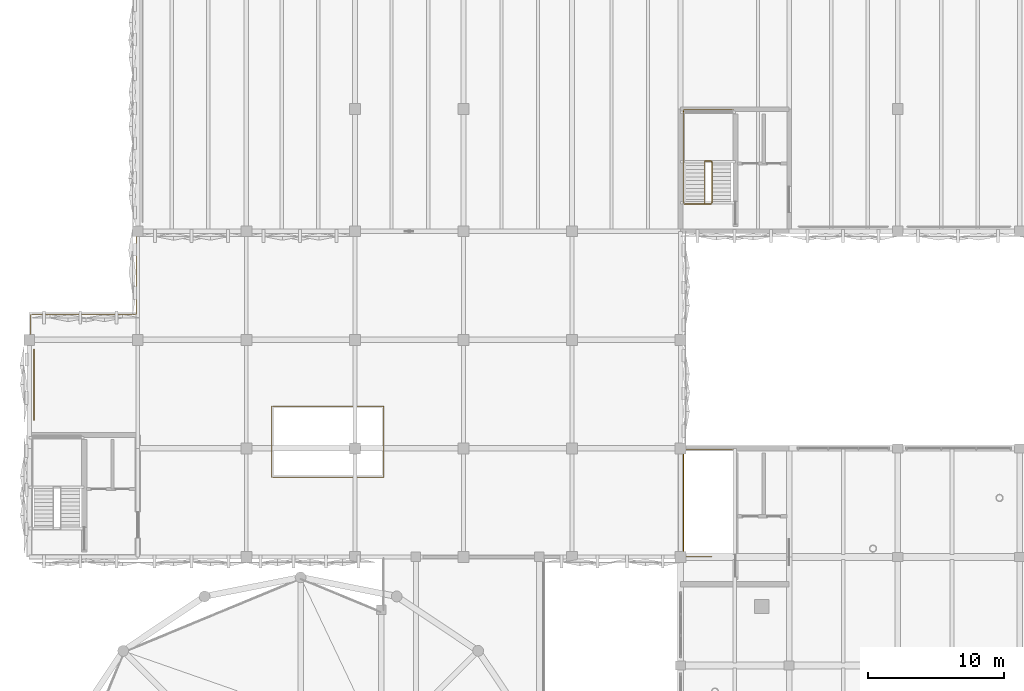
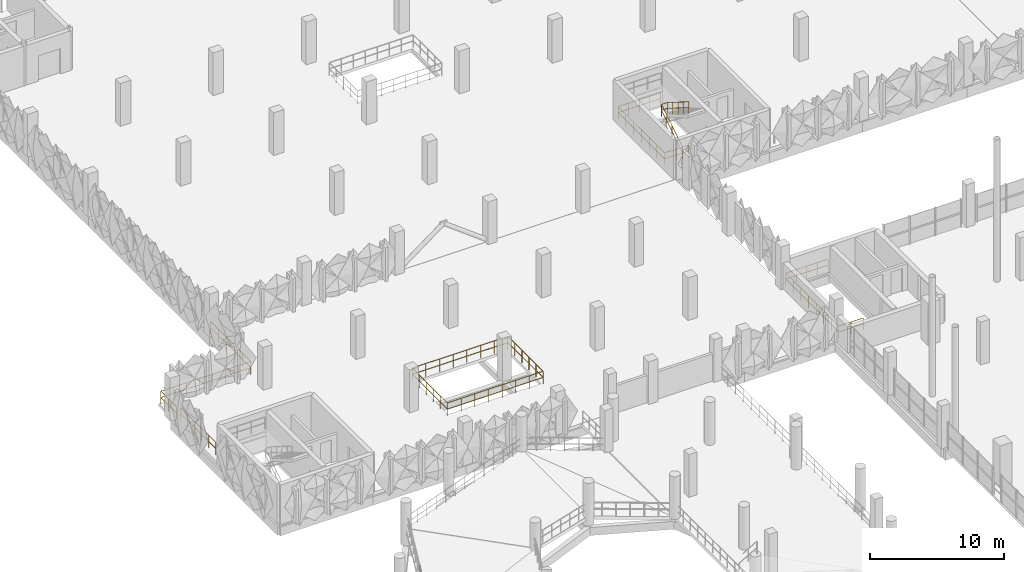
# One storey, part 111 of 123: 6 railings.
"""IFC4 building model written with IfcOpenShell, lengths in metres."""

import ifcopenshell
import ifcopenshell.guid

model = None  # the IFC model being written
_history = None  # IfcOwnerHistory: only IFC2X3 demands one
_inside = {}  # id of a spatial element -> (the spatial element, [elements in it])
_under = {}  # id of a project, library or spatial element -> (it, [spatial elements below it])
_declared = {}  # id of a project -> (the project, [libraries it declares])
_typed = {}  # id of a type object -> (the type object, [elements of that type])
_made_of = {}  # id of a material, layer set ... -> (it, [elements and type objects made of it])


def new_model(schema):
    """Start an empty IFC model of exactly this schema.

    Asked for "IFC4X3", IfcOpenShell would pick the latest addendum, in which some entities
    have other attributes; the version numbers below select the first issue.
    IFC2X3 requires an IfcOwnerHistory on every rooted entity: one is made here for all.
    """
    global model, _history
    if schema == "IFC4X3":
        model = ifcopenshell.file(schema_version=(4, 3, 0, 0))
    else:
        model = ifcopenshell.file(schema=schema)
    _inside.clear()
    _under.clear()
    _declared.clear()
    _typed.clear()
    _made_of.clear()
    _history = None
    if model.schema == "IFC2X3":
        org = make("IfcOrganization", Name="unknown")
        user = make(
            "IfcPersonAndOrganization",
            ThePerson=make("IfcPerson", FamilyName="unknown"),
            TheOrganization=org,
        )
        app = make(
            "IfcApplication",
            ApplicationDeveloper=org,
            Version="unknown",
            ApplicationFullName="unknown",
            ApplicationIdentifier="unknown",
        )
        _history = make(
            "IfcOwnerHistory",
            OwningUser=user,
            OwningApplication=app,
            ChangeAction="ADDED",
            CreationDate=0,
        )
    return model


def make(cls, **values):
    """One entity of the class cls with the attributes given. An attribute that is None is left unset."""
    return model.create_entity(
        cls, **{name: value for name, value in values.items() if value is not None}
    )


def rooted(cls, **values):
    """An entity with a GlobalId (a new one), such as an element, a storey or a relation."""
    return make(cls, GlobalId=ifcopenshell.guid.new(), OwnerHistory=_history, **values)


def si_unit(unit_type, name, prefix=None):
    """IfcSIUnit, for example si_unit("LENGTHUNIT", "METRE", prefix="MILLI")."""
    return make("IfcSIUnit", UnitType=unit_type, Prefix=prefix, Name=name)


def derived_unit(unit_type, elements):
    """IfcDerivedUnit: a product of units, each with its exponent."""
    return make(
        "IfcDerivedUnit",
        Elements=[
            make("IfcDerivedUnitElement", Unit=unit, Exponent=power)
            for unit, power in elements
        ],
        UnitType=unit_type,
    )


def assignment(units):
    """IfcUnitAssignment: the units of a project."""
    return None if units is None else make("IfcUnitAssignment", Units=units)


def point(xyz):
    """IfcCartesianPoint."""
    return None if xyz is None else make("IfcCartesianPoint", Coordinates=xyz)


def direction(xyz):
    """IfcDirection."""
    return None if xyz is None else make("IfcDirection", DirectionRatios=xyz)


def frame(location, z_axis=None, x_axis=None):
    """IfcAxis2Placement3D, a coordinate frame: its origin and axes. An axis left out is left unset."""
    return make(
        "IfcAxis2Placement3D",
        Location=point(location),
        Axis=direction(z_axis),
        RefDirection=direction(x_axis),
    )


def frame_2d(location, x_axis=None):
    """IfcAxis2Placement2D, a coordinate frame in the plane: its origin and x axis."""
    return make(
        "IfcAxis2Placement2D", Location=point(location), RefDirection=direction(x_axis)
    )


def origin():
    """The frame at (0, 0, 0) with its axes left unset."""
    return frame((0.0, 0.0, 0.0))


def origin_2d():
    """The frame at (0, 0) in the plane with its x axis left unset."""
    return frame_2d((0.0, 0.0))


def place(relative_to, where):
    """IfcLocalPlacement: puts the frame where relative to a parent placement (None: the world)."""
    return make(
        "IfcLocalPlacement", PlacementRelTo=relative_to, RelativePlacement=where
    )


def context(
    kind, dimensions, precision=None, world=None, true_north=None, identifier=None
):
    """IfcGeometricRepresentationContext, for example the 3D "Model" context."""
    return make(
        "IfcGeometricRepresentationContext",
        ContextIdentifier=identifier,
        ContextType=kind,
        CoordinateSpaceDimension=dimensions,
        Precision=precision,
        WorldCoordinateSystem=world,
        TrueNorth=true_north,
    )


def subcontext(parent, identifier, kind, view, scale=None):
    """IfcGeometricRepresentationSubContext, for example "Body" below "Model"."""
    return make(
        "IfcGeometricRepresentationSubContext",
        ContextIdentifier=identifier,
        ContextType=kind,
        ParentContext=parent,
        TargetScale=scale,
        TargetView=view,
    )


def project(units=None, contexts=None):
    """IfcProject with its units and contexts."""
    return rooted(
        "IfcProject",
        Name="project",
        RepresentationContexts=contexts,
        UnitsInContext=assignment(units),
    )


def spatial(cls, under=None, at=None, **own):
    """A site, building, storey or space (cls), placed at a placement, below another one or the project."""
    s = rooted(cls, ObjectPlacement=at, **own)
    if under is not None:
        _under.setdefault(under.id(), (under, []))[1].append(s)
    return s


def profile(cls, at=None, kind="AREA", **sizes):
    """A parametric profile (cls). Its sizes go by their IFC names, for example OverallWidth=200.0."""
    return make(cls, ProfileType=kind, Position=at, **sizes)


def circle(**sizes):
    """IfcCircleProfileDef."""
    return profile("IfcCircleProfileDef", **sizes)


def extrude(swept, where, along, depth):
    """IfcExtrudedAreaSolid: the profile swept, set in the frame where, extruded along a direction by depth."""
    return make(
        "IfcExtrudedAreaSolid",
        SweptArea=swept,
        Position=where,
        ExtrudedDirection=direction(along),
        Depth=depth,
    )


def shape(context_of_items, identifier, shape_type, items):
    """IfcShapeRepresentation: the items that make up one representation, for example the "Body"."""
    return make(
        "IfcShapeRepresentation",
        ContextOfItems=context_of_items,
        RepresentationIdentifier=identifier,
        RepresentationType=shape_type,
        Items=items,
    )


def material(Name=None, Category=None):
    """IfcMaterial."""
    return make("IfcMaterial", Name=Name, Category=Category)


def made_of(thing, what):
    """Note that an element or type object is made of a material, layer set ...; save() writes the relation."""
    if what is not None:
        _made_of.setdefault(what.id(), (what, []))[1].append(thing)
    return thing


def type_object(cls, material=None, **own):
    """A type object (cls), such as IfcWallType, which elements share."""
    return made_of(rooted(cls, **own), material)


def element(
    cls,
    number,
    at=None,
    inside=None,
    cuts=None,
    type_object=None,
    material=None,
    context=None,
    identifier="Body",
    shape_type=None,
    held_by="IfcProductDefinitionShape",
    body=None,
    shapes=None,
    **own,
):
    """One element of the class cls, such as IfcWall. Its Tag is "e" and its number.

    at: its placement. inside: the storey or other place that contains it. cuts: it is an
    opening in that element (IfcRelVoidsElement). A single representation is given by context,
    identifier, shape_type and body (its items); several are given by shapes. held_by: the class
    of the entity that holds the representations. save() writes the other relations.
    """
    e = rooted(cls, Tag="e%d" % number, ObjectPlacement=at, **own)
    if body is not None:
        shapes = [shape(context, identifier, shape_type, body)]
    if shapes is not None:
        e.Representation = make(held_by, Representations=shapes)
    if inside is not None:
        _inside.setdefault(inside.id(), (inside, []))[1].append(e)
    if cuts is not None:
        rooted(
            "IfcRelVoidsElement", RelatingBuildingElement=cuts, RelatedOpeningElement=e
        )
    if type_object is not None:
        _typed.setdefault(type_object.id(), (type_object, []))[1].append(e)
    return made_of(e, material)


def aggregate(whole, parts):
    """IfcRelAggregates: a whole, such as a stair, and the parts it consists of."""
    return rooted("IfcRelAggregates", RelatingObject=whole, RelatedObjects=parts)


def save(model, path):
    """Write the relations noted so far, then the file.

    IfcRelAggregates (storeys below a building ...), IfcRelContainedInSpatialStructure (elements
    in a storey), IfcRelDefinesByType, IfcRelAssociatesMaterial and IfcRelDeclares: one each for
    every whole, place, type object, material and project.
    """
    for whole, parts in _under.values():
        aggregate(whole, parts)
    for where, things in _inside.values():
        rooted(
            "IfcRelContainedInSpatialStructure",
            RelatedElements=things,
            RelatingStructure=where,
        )
    for kind, things in _typed.values():
        rooted("IfcRelDefinesByType", RelatedObjects=things, RelatingType=kind)
    for what, things in _made_of.values():
        rooted("IfcRelAssociatesMaterial", RelatedObjects=things, RelatingMaterial=what)
    for by, libraries in _declared.values():
        rooted("IfcRelDeclares", RelatingContext=by, RelatedDefinitions=libraries)
    model.write(path)


model = new_model("IFC4")

# Units and contexts
model_context = context("Model", 3, precision=1e-05, world=origin(), true_north=direction((0.0, 1.0)))
body_context = subcontext(model_context, "Body", "Model", "MODEL_VIEW")
ifc_project = project(units=[si_unit("LENGTHUNIT", "METRE"), si_unit("AREAUNIT", "SQUARE_METRE"), si_unit("VOLUMEUNIT", "CUBIC_METRE"), si_unit("PLANEANGLEUNIT", "RADIAN"), si_unit("MASSUNIT", "GRAM", prefix="KILO"), si_unit("THERMODYNAMICTEMPERATUREUNIT", "KELVIN"), derived_unit("THERMALTRANSMITTANCEUNIT", [(si_unit("POWERUNIT", "WATT"), 1), (si_unit("AREAUNIT", "SQUARE_METRE"), -1), (si_unit("THERMODYNAMICTEMPERATUREUNIT", "KELVIN"), -1)])], contexts=[model_context])

# Site, building, storey
site_placement = place(None, origin())
site = spatial("IfcSite", under=ifc_project, at=site_placement, CompositionType="ELEMENT")
building_placement = place(site_placement, origin())
building = spatial("IfcBuilding", under=site, at=building_placement, Name="Haiyu Intermodal Mobility Hub", CompositionType="ELEMENT")
storey_placement = place(building_placement, frame((0.0, 0.0, 5.60009765625)))
storey = spatial("IfcBuildingStorey", under=building, at=storey_placement, Name="L01", CompositionType="ELEMENT", Elevation=5.60009765625)

# Railings
ifc_material = material(Name="Steel Q355C", Category="steel")
railing_type_1 = type_object("IfcRailingType", Name="RAL-GR01", PredefinedType="GUARDRAIL", material=ifc_material)
railing_1_placement = place(storey_placement, frame((14.340087890625, 95.300048828125, 0.0)))
element("IfcRailing", 1, at=railing_1_placement, inside=storey, type_object=railing_type_1, Name="RAL-CAR-WW-0092", PredefinedType="GUARDRAIL", context=body_context, shape_type="SweptSolid", body=[
    extrude(circle(Radius=0.02392578125, at=origin_2d()), frame((0.0, -0.030029296875, 1.17578125), z_axis=(0.0, -1.0, 0.0), x_axis=(1.0, 0.0, 0.0)), (0.0, 0.0, 1.0), 5.139892578125),
    extrude(circle(Radius=0.02392578125, at=origin_2d()), frame((0.0, -0.037353515625, 0.60009765625), z_axis=(0.0, -1.0, 0.0), x_axis=(1.0, 0.0, 0.0)), (0.0, 0.0, 1.0), 0.96533203125),
    extrude(circle(Radius=0.02392578125, at=origin_2d()), frame((0.0, -1.077392578125, 0.60009765625), z_axis=(0.0, -1.0, 0.0), x_axis=(1.0, 0.0, 0.0)), (0.0, 0.0, 1.0), 0.96533203125),
    extrude(circle(Radius=0.02392578125, at=origin_2d()), frame((0.0, -2.1171875, 0.60009765625), z_axis=(0.0, -1.0, 0.0), x_axis=(1.0, 0.0, 0.0)), (0.0, 0.0, 1.0), 0.96533203125),
    extrude(circle(Radius=0.02392578125, at=origin_2d()), frame((0.0, -3.1572265625, 0.60009765625), z_axis=(0.0, -1.0, 0.0), x_axis=(1.0, 0.0, 0.0)), (0.0, 0.0, 1.0), 0.96533203125),
    extrude(circle(Radius=0.02392578125, at=origin_2d()), frame((0.0, -4.197265625, 0.60009765625), z_axis=(0.0, -1.0, 0.0), x_axis=(1.0, 0.0, 0.0)), (0.0, 0.0, 1.0), 0.96533203125),
    extrude(circle(Radius=0.02099609375, at=origin_2d()), origin(), (0.0, 0.0, 1.0), 1.143798828125),
    extrude(circle(Radius=0.02099609375, at=origin_2d()), frame((0.0, -1.0400390625, 0.0)), (0.0, 0.0, 1.0), 1.143798828125),
    extrude(circle(Radius=0.02099609375, at=origin_2d()), frame((0.0, -2.080078125, 0.0)), (0.0, 0.0, 1.0), 1.143798828125),
    extrude(circle(Radius=0.02099609375, at=origin_2d()), frame((0.0, -3.119873046875, 0.0)), (0.0, 0.0, 1.0), 1.143798828125),
    extrude(circle(Radius=0.02099609375, at=origin_2d()), frame((0.0, -4.159912109375, 0.0)), (0.0, 0.0, 1.0), 1.143798828125),
    extrude(circle(Radius=0.02099609375, at=origin_2d()), frame((0.0, -5.199951171875, 0.0)), (0.0, 0.0, 1.0), 1.143798828125),
])
railing_2_placement = place(storey_placement, frame((14.1201171875, 95.60009765625, 0.0)))
element("IfcRailing", 2, at=railing_2_placement, inside=storey, type_object=railing_type_1, Name="RAL-V4WNW-L01", PredefinedType="GUARDRAIL", context=body_context, shape_type="SweptSolid", body=[
    extrude(circle(Radius=0.02392578125, at=origin_2d()), frame((0.0, 0.030029296875, 1.15576171875), z_axis=(0.0, 1.0, 0.0), x_axis=(-1.0, 0.0, 0.0)), (0.0, 0.0, 1.0), 2.2197265625),
    extrude(circle(Radius=0.02392578125, at=origin_2d()), frame((0.0, 0.037353515625, 0.58984375), z_axis=(0.0, 1.0, 0.0), x_axis=(-1.0, 0.0, 0.0)), (0.0, 0.0, 1.0), 1.065185546875),
    extrude(circle(Radius=0.02392578125, at=origin_2d()), frame((0.0, 1.17724609375, 0.58984375), z_axis=(0.0, 1.0, 0.0), x_axis=(-1.0, 0.0, 0.0)), (0.0, 0.0, 1.0), 1.065185546875),
    extrude(circle(Radius=0.02392578125, at=origin_2d()), frame((0.030029296875, 2.27978515625, 1.15576171875), z_axis=(1.0, 0.0, 0.0), x_axis=(0.0, 1.0, 0.0)), (0.0, 0.0, 1.0), 7.69970703125),
    extrude(circle(Radius=0.02392578125, at=origin_2d()), frame((0.037353515625, 2.27978515625, 0.58984375), z_axis=(1.0, 0.0, 0.0), x_axis=(0.0, 1.0, 0.0)), (0.0, 0.0, 1.0), 1.033935546875),
    extrude(circle(Radius=0.02392578125, at=origin_2d()), frame((1.145751953125, 2.27978515625, 0.58984375), z_axis=(1.0, 0.0, 0.0), x_axis=(0.0, 1.0, 0.0)), (0.0, 0.0, 1.0), 1.033935546875),
    extrude(circle(Radius=0.02392578125, at=origin_2d()), frame((2.25439453125, 2.27978515625, 0.58984375), z_axis=(1.0, 0.0, 0.0), x_axis=(0.0, 1.0, 0.0)), (0.0, 0.0, 1.0), 1.033935546875),
    extrude(circle(Radius=0.02392578125, at=origin_2d()), frame((3.36279296875, 2.27978515625, 0.58984375), z_axis=(1.0, 0.0, 0.0), x_axis=(0.0, 1.0, 0.0)), (0.0, 0.0, 1.0), 1.033935546875),
    extrude(circle(Radius=0.02392578125, at=origin_2d()), frame((4.471435546875, 2.27978515625, 0.58984375), z_axis=(1.0, 0.0, 0.0), x_axis=(0.0, 1.0, 0.0)), (0.0, 0.0, 1.0), 1.033935546875),
    extrude(circle(Radius=0.02392578125, at=origin_2d()), frame((5.580078125, 2.27978515625, 0.58984375), z_axis=(1.0, 0.0, 0.0), x_axis=(0.0, 1.0, 0.0)), (0.0, 0.0, 1.0), 1.033935546875),
    extrude(circle(Radius=0.02392578125, at=origin_2d()), frame((6.6884765625, 2.27978515625, 0.58984375), z_axis=(1.0, 0.0, 0.0), x_axis=(0.0, 1.0, 0.0)), (0.0, 0.0, 1.0), 1.033935546875),
    extrude(circle(Radius=0.02392578125, at=origin_2d()), frame((7.759765625, 2.309814453125, 1.15576171875), z_axis=(0.0, 1.0, 0.0), x_axis=(-1.0, 0.0, 0.0)), (0.0, 0.0, 1.0), 5.93994140625),
    extrude(circle(Radius=0.02392578125, at=origin_2d()), frame((7.759765625, 2.317138671875, 0.58984375), z_axis=(0.0, 1.0, 0.0), x_axis=(-1.0, 0.0, 0.0)), (0.0, 0.0, 1.0), 1.12548828125),
    extrude(circle(Radius=0.02392578125, at=origin_2d()), frame((7.759765625, 3.51708984375, 0.58984375), z_axis=(0.0, 1.0, 0.0), x_axis=(-1.0, 0.0, 0.0)), (0.0, 0.0, 1.0), 1.12548828125),
    extrude(circle(Radius=0.02392578125, at=origin_2d()), frame((7.759765625, 4.717041015625, 0.58984375), z_axis=(0.0, 1.0, 0.0), x_axis=(-1.0, 0.0, 0.0)), (0.0, 0.0, 1.0), 1.12548828125),
    extrude(circle(Radius=0.02392578125, at=origin_2d()), frame((7.759765625, 5.9169921875, 0.58984375), z_axis=(0.0, 1.0, 0.0), x_axis=(-1.0, 0.0, 0.0)), (0.0, 0.0, 1.0), 1.12548828125),
    extrude(circle(Radius=0.02392578125, at=origin_2d()), frame((7.759765625, 7.1171875, 0.58984375), z_axis=(0.0, 1.0, 0.0), x_axis=(-1.0, 0.0, 0.0)), (0.0, 0.0, 1.0), 1.12548828125),
    extrude(circle(Radius=0.02099609375, at=origin_2d()), origin(), (0.0, 0.0, 1.0), 1.123779296875),
    extrude(circle(Radius=0.02099609375, at=origin_2d()), frame((0.0, 1.139892578125, 0.0)), (0.0, 0.0, 1.0), 1.123779296875),
    extrude(circle(Radius=0.02099609375, at=origin_2d()), frame((0.0, 2.27978515625, 0.0)), (0.0, 0.0, 1.0), 1.123779296875),
    extrude(circle(Radius=0.02099609375, at=origin_2d()), frame((1.108642578125, 2.27978515625, 0.0)), (0.0, 0.0, 1.0), 1.123779296875),
    extrude(circle(Radius=0.02099609375, at=origin_2d()), frame((2.217041015625, 2.27978515625, 0.0)), (0.0, 0.0, 1.0), 1.123779296875),
    extrude(circle(Radius=0.02099609375, at=origin_2d()), frame((3.32568359375, 2.27978515625, 0.0)), (0.0, 0.0, 1.0), 1.123779296875),
    extrude(circle(Radius=0.02099609375, at=origin_2d()), frame((4.43408203125, 2.27978515625, 0.0)), (0.0, 0.0, 1.0), 1.123779296875),
    extrude(circle(Radius=0.02099609375, at=origin_2d()), frame((5.542724609375, 2.27978515625, 0.0)), (0.0, 0.0, 1.0), 1.123779296875),
    extrude(circle(Radius=0.02099609375, at=origin_2d()), frame((6.651123046875, 2.27978515625, 0.0)), (0.0, 0.0, 1.0), 1.123779296875),
    extrude(circle(Radius=0.02099609375, at=origin_2d()), frame((7.759765625, 2.27978515625, 0.0)), (0.0, 0.0, 1.0), 1.123779296875),
    extrude(circle(Radius=0.02099609375, at=origin_2d()), frame((7.759765625, 3.479736328125, 0.0)), (0.0, 0.0, 1.0), 1.123779296875),
    extrude(circle(Radius=0.02099609375, at=origin_2d()), frame((7.759765625, 4.6796875, 0.0)), (0.0, 0.0, 1.0), 1.123779296875),
    extrude(circle(Radius=0.02099609375, at=origin_2d()), frame((7.759765625, 5.8798828125, 0.0)), (0.0, 0.0, 1.0), 1.123779296875),
    extrude(circle(Radius=0.02099609375, at=origin_2d()), frame((7.759765625, 7.079833984375, 0.0)), (0.0, 0.0, 1.0), 1.123779296875),
    extrude(circle(Radius=0.02099609375, at=origin_2d()), frame((7.759765625, 8.27978515625, 0.0)), (0.0, 0.0, 1.0), 1.123779296875),
])
railing_3_placement = place(storey_placement, frame((31.8798828125, 85.8798828125, 0.0)))
element("IfcRailing", 3, at=railing_3_placement, inside=storey, type_object=railing_type_1, Name="RAL-V4WVOID-L01", PredefinedType="GUARDRAIL", context=body_context, shape_type="SweptSolid", body=[
    extrude(circle(Radius=0.02392578125, at=origin_2d()), frame((0.030029296875, 0.0, 1.15576171875), z_axis=(1.0, 0.0, 0.0), x_axis=(0.0, 1.0, 0.0)), (0.0, 0.0, 1.0), 8.18017578125),
    extrude(circle(Radius=0.02392578125, at=origin_2d()), frame((0.037353515625, 0.0, 0.58984375), z_axis=(1.0, 0.0, 0.0), x_axis=(0.0, 1.0, 0.0)), (0.0, 0.0, 1.0), 1.1025390625),
    extrude(circle(Radius=0.02392578125, at=origin_2d()), frame((1.21435546875, 0.0, 0.58984375), z_axis=(1.0, 0.0, 0.0), x_axis=(0.0, 1.0, 0.0)), (0.0, 0.0, 1.0), 1.1025390625),
    extrude(circle(Radius=0.02392578125, at=origin_2d()), frame((2.3916015625, 0.0, 0.58984375), z_axis=(1.0, 0.0, 0.0), x_axis=(0.0, 1.0, 0.0)), (0.0, 0.0, 1.0), 1.1025390625),
    extrude(circle(Radius=0.02392578125, at=origin_2d()), frame((3.56884765625, 0.0, 0.58984375), z_axis=(1.0, 0.0, 0.0), x_axis=(0.0, 1.0, 0.0)), (0.0, 0.0, 1.0), 1.1025390625),
    extrude(circle(Radius=0.02392578125, at=origin_2d()), frame((4.74609375, 0.0, 0.58984375), z_axis=(1.0, 0.0, 0.0), x_axis=(0.0, 1.0, 0.0)), (0.0, 0.0, 1.0), 1.1025390625),
    extrude(circle(Radius=0.02392578125, at=origin_2d()), frame((5.923095703125, 0.0, 0.58984375), z_axis=(1.0, 0.0, 0.0), x_axis=(0.0, 1.0, 0.0)), (0.0, 0.0, 1.0), 1.1025390625),
    extrude(circle(Radius=0.02392578125, at=origin_2d()), frame((7.100341796875, 0.0, 0.58984375), z_axis=(1.0, 0.0, 0.0), x_axis=(0.0, 1.0, 0.0)), (0.0, 0.0, 1.0), 1.1025390625),
    extrude(circle(Radius=0.02392578125, at=origin_2d()), frame((8.240234375, 0.030029296875, 1.15576171875), z_axis=(0.0, 1.0, 0.0), x_axis=(-1.0, 0.0, 0.0)), (0.0, 0.0, 1.0), 5.18017578125),
    extrude(circle(Radius=0.02392578125, at=origin_2d()), frame((8.240234375, 0.037353515625, 0.58984375), z_axis=(0.0, 1.0, 0.0), x_axis=(-1.0, 0.0, 0.0)), (0.0, 0.0, 1.0), 0.973388671875),
    extrude(circle(Radius=0.02392578125, at=origin_2d()), frame((8.240234375, 1.08544921875, 0.58984375), z_axis=(0.0, 1.0, 0.0), x_axis=(-1.0, 0.0, 0.0)), (0.0, 0.0, 1.0), 0.973388671875),
    extrude(circle(Radius=0.02392578125, at=origin_2d()), frame((8.240234375, 2.13330078125, 0.58984375), z_axis=(0.0, 1.0, 0.0), x_axis=(-1.0, 0.0, 0.0)), (0.0, 0.0, 1.0), 0.973388671875),
    extrude(circle(Radius=0.02392578125, at=origin_2d()), frame((8.240234375, 3.181396484375, 0.58984375), z_axis=(0.0, 1.0, 0.0), x_axis=(-1.0, 0.0, 0.0)), (0.0, 0.0, 1.0), 0.973388671875),
    extrude(circle(Radius=0.02392578125, at=origin_2d()), frame((8.240234375, 4.2294921875, 0.58984375), z_axis=(0.0, 1.0, 0.0), x_axis=(-1.0, 0.0, 0.0)), (0.0, 0.0, 1.0), 0.973388671875),
    extrude(circle(Radius=0.02392578125, at=origin_2d()), frame((8.210205078125, 5.240234375, 1.15576171875), z_axis=(-1.0, 0.0, 0.0), x_axis=(0.0, -1.0, 0.0)), (0.0, 0.0, 1.0), 8.18017578125),
    extrude(circle(Radius=0.02392578125, at=origin_2d()), frame((8.202880859375, 5.240234375, 0.58984375), z_axis=(-1.0, 0.0, 0.0), x_axis=(0.0, -1.0, 0.0)), (0.0, 0.0, 1.0), 1.1025390625),
    extrude(circle(Radius=0.02392578125, at=origin_2d()), frame((7.02587890625, 5.240234375, 0.58984375), z_axis=(-1.0, 0.0, 0.0), x_axis=(0.0, -1.0, 0.0)), (0.0, 0.0, 1.0), 1.1025390625),
    extrude(circle(Radius=0.02392578125, at=origin_2d()), frame((5.8486328125, 5.240234375, 0.58984375), z_axis=(-1.0, 0.0, 0.0), x_axis=(0.0, -1.0, 0.0)), (0.0, 0.0, 1.0), 1.1025390625),
    extrude(circle(Radius=0.02392578125, at=origin_2d()), frame((4.67138671875, 5.240234375, 0.58984375), z_axis=(-1.0, 0.0, 0.0), x_axis=(0.0, -1.0, 0.0)), (0.0, 0.0, 1.0), 1.1025390625),
    extrude(circle(Radius=0.02392578125, at=origin_2d()), frame((3.494140625, 5.240234375, 0.58984375), z_axis=(-1.0, 0.0, 0.0), x_axis=(0.0, -1.0, 0.0)), (0.0, 0.0, 1.0), 1.1025390625),
    extrude(circle(Radius=0.02392578125, at=origin_2d()), frame((2.317138671875, 5.240234375, 0.58984375), z_axis=(-1.0, 0.0, 0.0), x_axis=(0.0, -1.0, 0.0)), (0.0, 0.0, 1.0), 1.1025390625),
    extrude(circle(Radius=0.02392578125, at=origin_2d()), frame((1.139892578125, 5.240234375, 0.58984375), z_axis=(-1.0, 0.0, 0.0), x_axis=(0.0, -1.0, 0.0)), (0.0, 0.0, 1.0), 1.1025390625),
    extrude(circle(Radius=0.02392578125, at=origin_2d()), frame((0.0, 5.210205078125, 1.15576171875), z_axis=(0.0, -1.0, 0.0), x_axis=(1.0, 0.0, 0.0)), (0.0, 0.0, 1.0), 5.18017578125),
    extrude(circle(Radius=0.02392578125, at=origin_2d()), frame((0.0, 5.202880859375, 0.58984375), z_axis=(0.0, -1.0, 0.0), x_axis=(1.0, 0.0, 0.0)), (0.0, 0.0, 1.0), 0.973388671875),
    extrude(circle(Radius=0.02392578125, at=origin_2d()), frame((0.0, 4.15478515625, 0.58984375), z_axis=(0.0, -1.0, 0.0), x_axis=(1.0, 0.0, 0.0)), (0.0, 0.0, 1.0), 0.973388671875),
    extrude(circle(Radius=0.02392578125, at=origin_2d()), frame((0.0, 3.10693359375, 0.58984375), z_axis=(0.0, -1.0, 0.0), x_axis=(1.0, 0.0, 0.0)), (0.0, 0.0, 1.0), 0.973388671875),
    extrude(circle(Radius=0.02392578125, at=origin_2d()), frame((0.0, 2.058837890625, 0.58984375), z_axis=(0.0, -1.0, 0.0), x_axis=(1.0, 0.0, 0.0)), (0.0, 0.0, 1.0), 0.973388671875),
    extrude(circle(Radius=0.02392578125, at=origin_2d()), frame((0.0, 1.0107421875, 0.58984375), z_axis=(0.0, -1.0, 0.0), x_axis=(1.0, 0.0, 0.0)), (0.0, 0.0, 1.0), 0.973388671875),
    extrude(circle(Radius=0.02099609375, at=origin_2d()), origin(), (0.0, 0.0, 1.0), 1.123779296875),
    extrude(circle(Radius=0.02099609375, at=origin_2d()), frame((1.17724609375, 0.0, 0.0)), (0.0, 0.0, 1.0), 1.123779296875),
    extrude(circle(Radius=0.02099609375, at=origin_2d()), frame((2.354248046875, 0.0, 0.0)), (0.0, 0.0, 1.0), 1.123779296875),
    extrude(circle(Radius=0.02099609375, at=origin_2d()), frame((3.531494140625, 0.0, 0.0)), (0.0, 0.0, 1.0), 1.123779296875),
    extrude(circle(Radius=0.02099609375, at=origin_2d()), frame((4.708740234375, 0.0, 0.0)), (0.0, 0.0, 1.0), 1.123779296875),
    extrude(circle(Radius=0.02099609375, at=origin_2d()), frame((5.885986328125, 0.0, 0.0)), (0.0, 0.0, 1.0), 1.123779296875),
    extrude(circle(Radius=0.02099609375, at=origin_2d()), frame((7.06298828125, 0.0, 0.0)), (0.0, 0.0, 1.0), 1.123779296875),
    extrude(circle(Radius=0.02099609375, at=origin_2d()), frame((8.240234375, 0.0, 0.0)), (0.0, 0.0, 1.0), 1.123779296875),
    extrude(circle(Radius=0.02099609375, at=origin_2d()), frame((8.240234375, 1.048095703125, 0.0)), (0.0, 0.0, 1.0), 1.123779296875),
    extrude(circle(Radius=0.02099609375, at=origin_2d()), frame((8.240234375, 2.09619140625, 0.0)), (0.0, 0.0, 1.0), 1.123779296875),
    extrude(circle(Radius=0.02099609375, at=origin_2d()), frame((8.240234375, 3.14404296875, 0.0)), (0.0, 0.0, 1.0), 1.123779296875),
    extrude(circle(Radius=0.02099609375, at=origin_2d()), frame((8.240234375, 4.192138671875, 0.0)), (0.0, 0.0, 1.0), 1.123779296875),
    extrude(circle(Radius=0.02099609375, at=origin_2d()), frame((8.240234375, 5.240234375, 0.0)), (0.0, 0.0, 1.0), 1.123779296875),
    extrude(circle(Radius=0.02099609375, at=origin_2d()), frame((7.06298828125, 5.240234375, 0.0)), (0.0, 0.0, 1.0), 1.123779296875),
    extrude(circle(Radius=0.02099609375, at=origin_2d()), frame((5.885986328125, 5.240234375, 0.0)), (0.0, 0.0, 1.0), 1.123779296875),
    extrude(circle(Radius=0.02099609375, at=origin_2d()), frame((4.708740234375, 5.240234375, 0.0)), (0.0, 0.0, 1.0), 1.123779296875),
    extrude(circle(Radius=0.02099609375, at=origin_2d()), frame((3.531494140625, 5.240234375, 0.0)), (0.0, 0.0, 1.0), 1.123779296875),
    extrude(circle(Radius=0.02099609375, at=origin_2d()), frame((2.354248046875, 5.240234375, 0.0)), (0.0, 0.0, 1.0), 1.123779296875),
    extrude(circle(Radius=0.02099609375, at=origin_2d()), frame((1.17724609375, 5.240234375, 0.0)), (0.0, 0.0, 1.0), 1.123779296875),
    extrude(circle(Radius=0.02099609375, at=origin_2d()), frame((0.0, 5.240234375, 0.0)), (0.0, 0.0, 1.0), 1.123779296875),
    extrude(circle(Radius=0.02099609375, at=origin_2d()), frame((0.0, 4.192138671875, 0.0)), (0.0, 0.0, 1.0), 1.123779296875),
    extrude(circle(Radius=0.02099609375, at=origin_2d()), frame((0.0, 3.14404296875, 0.0)), (0.0, 0.0, 1.0), 1.123779296875),
    extrude(circle(Radius=0.02099609375, at=origin_2d()), frame((0.0, 2.09619140625, 0.0)), (0.0, 0.0, 1.0), 1.123779296875),
    extrude(circle(Radius=0.02099609375, at=origin_2d()), frame((0.0, 1.048095703125, 0.0)), (0.0, 0.0, 1.0), 1.123779296875),
])
railing_type_2 = type_object("IfcRailingType", Name="RAL-GR03", PredefinedType="GUARDRAIL", material=ifc_material)
railing_4_placement = place(storey_placement, frame((64.31005859375, 80.010009765625, 0.0)))
element("IfcRailing", 4, at=railing_4_placement, inside=storey, type_object=railing_type_2, Name="Stair Shaft Floor Guard STR-C1-L00", PredefinedType="GUARDRAIL", context=body_context, shape_type="SweptSolid", body=[
    extrude(circle(Radius=0.02392578125, at=origin_2d()), frame((-0.030029296875, 0.0, 1.09619140625), z_axis=(-1.0, 0.0, 0.0), x_axis=(0.0, -1.0, 0.0)), (0.0, 0.0, 1.0), 2.030029296875),
    extrude(circle(Radius=0.02392578125, at=origin_2d()), frame((-0.037353515625, 0.0, 0.56005859375), z_axis=(-1.0, 0.0, 0.0), x_axis=(0.0, -1.0, 0.0)), (0.0, 0.0, 1.0), 0.970458984375),
    extrude(circle(Radius=0.02392578125, at=origin_2d()), frame((-1.082275390625, 0.0, 0.56005859375), z_axis=(-1.0, 0.0, 0.0), x_axis=(0.0, -1.0, 0.0)), (0.0, 0.0, 1.0), 0.970458984375),
    extrude(circle(Radius=0.02392578125, at=origin_2d()), frame((-2.090087890625, 0.030029296875, 1.09619140625), z_axis=(0.0, 1.0, 0.0), x_axis=(-1.0, 0.0, 0.0)), (0.0, 0.0, 1.0), 7.8798828125),
    extrude(circle(Radius=0.02392578125, at=origin_2d()), frame((-2.090087890625, 0.037353515625, 0.56005859375), z_axis=(0.0, 1.0, 0.0), x_axis=(-1.0, 0.0, 0.0)), (0.0, 0.0, 1.0), 1.0595703125),
    extrude(circle(Radius=0.02392578125, at=origin_2d()), frame((-2.090087890625, 1.171630859375, 0.56005859375), z_axis=(0.0, 1.0, 0.0), x_axis=(-1.0, 0.0, 0.0)), (0.0, 0.0, 1.0), 1.0595703125),
    extrude(circle(Radius=0.02392578125, at=origin_2d()), frame((-2.090087890625, 2.305908203125, 0.56005859375), z_axis=(0.0, 1.0, 0.0), x_axis=(-1.0, 0.0, 0.0)), (0.0, 0.0, 1.0), 1.0595703125),
    extrude(circle(Radius=0.02392578125, at=origin_2d()), frame((-2.090087890625, 3.440185546875, 0.56005859375), z_axis=(0.0, 1.0, 0.0), x_axis=(-1.0, 0.0, 0.0)), (0.0, 0.0, 1.0), 1.0595703125),
    extrude(circle(Radius=0.02392578125, at=origin_2d()), frame((-2.090087890625, 4.574462890625, 0.56005859375), z_axis=(0.0, 1.0, 0.0), x_axis=(-1.0, 0.0, 0.0)), (0.0, 0.0, 1.0), 1.0595703125),
    extrude(circle(Radius=0.02392578125, at=origin_2d()), frame((-2.090087890625, 5.708740234375, 0.56005859375), z_axis=(0.0, 1.0, 0.0), x_axis=(-1.0, 0.0, 0.0)), (0.0, 0.0, 1.0), 1.0595703125),
    extrude(circle(Radius=0.02392578125, at=origin_2d()), frame((-2.090087890625, 6.843017578125, 0.56005859375), z_axis=(0.0, 1.0, 0.0), x_axis=(-1.0, 0.0, 0.0)), (0.0, 0.0, 1.0), 1.0595703125),
    extrude(circle(Radius=0.02392578125, at=origin_2d()), frame((-2.06005859375, 7.93994140625, 1.09619140625), z_axis=(1.0, 0.0, 0.0), x_axis=(0.0, 1.0, 0.0)), (0.0, 0.0, 1.0), 3.590087890625),
    extrude(circle(Radius=0.02392578125, at=origin_2d()), frame((-2.052734375, 7.93994140625, 0.56005859375), z_axis=(1.0, 0.0, 0.0), x_axis=(0.0, 1.0, 0.0)), (0.0, 0.0, 1.0), 0.837890625),
    extrude(circle(Radius=0.02392578125, at=origin_2d()), frame((-1.14013671875, 7.93994140625, 0.56005859375), z_axis=(1.0, 0.0, 0.0), x_axis=(0.0, 1.0, 0.0)), (0.0, 0.0, 1.0), 0.837890625),
    extrude(circle(Radius=0.02392578125, at=origin_2d()), frame((-0.227783203125, 7.93994140625, 0.56005859375), z_axis=(1.0, 0.0, 0.0), x_axis=(0.0, 1.0, 0.0)), (0.0, 0.0, 1.0), 0.837890625),
    extrude(circle(Radius=0.02392578125, at=origin_2d()), frame((0.684814453125, 7.93994140625, 0.56005859375), z_axis=(1.0, 0.0, 0.0), x_axis=(0.0, 1.0, 0.0)), (0.0, 0.0, 1.0), 0.837890625),
    extrude(circle(Radius=0.02099609375, at=origin_2d()), origin(), (0.0, 0.0, 1.0), 1.06396484375),
    extrude(circle(Radius=0.02099609375, at=origin_2d()), frame((-1.044921875, 0.0, 0.0)), (0.0, 0.0, 1.0), 1.06396484375),
    extrude(circle(Radius=0.02099609375, at=origin_2d()), frame((-2.090087890625, 0.0, 0.0)), (0.0, 0.0, 1.0), 1.06396484375),
    extrude(circle(Radius=0.02099609375, at=origin_2d()), frame((-2.090087890625, 1.13427734375, 0.0)), (0.0, 0.0, 1.0), 1.06396484375),
    extrude(circle(Radius=0.02099609375, at=origin_2d()), frame((-2.090087890625, 2.2685546875, 0.0)), (0.0, 0.0, 1.0), 1.06396484375),
    extrude(circle(Radius=0.02099609375, at=origin_2d()), frame((-2.090087890625, 3.40283203125, 0.0)), (0.0, 0.0, 1.0), 1.06396484375),
    extrude(circle(Radius=0.02099609375, at=origin_2d()), frame((-2.090087890625, 4.537109375, 0.0)), (0.0, 0.0, 1.0), 1.06396484375),
    extrude(circle(Radius=0.02099609375, at=origin_2d()), frame((-2.090087890625, 5.67138671875, 0.0)), (0.0, 0.0, 1.0), 1.06396484375),
    extrude(circle(Radius=0.02099609375, at=origin_2d()), frame((-2.090087890625, 6.8056640625, 0.0)), (0.0, 0.0, 1.0), 1.06396484375),
    extrude(circle(Radius=0.02099609375, at=origin_2d()), frame((-2.090087890625, 7.93994140625, 0.0)), (0.0, 0.0, 1.0), 1.06396484375),
    extrude(circle(Radius=0.02099609375, at=origin_2d()), frame((-1.177490234375, 7.93994140625, 0.0)), (0.0, 0.0, 1.0), 1.06396484375),
    extrude(circle(Radius=0.02099609375, at=origin_2d()), frame((-0.26513671875, 7.93994140625, 0.0)), (0.0, 0.0, 1.0), 1.06396484375),
    extrude(circle(Radius=0.02099609375, at=origin_2d()), frame((0.6474609375, 7.93994140625, 0.0)), (0.0, 0.0, 1.0), 1.06396484375),
    extrude(circle(Radius=0.02099609375, at=origin_2d()), frame((1.56005859375, 7.93994140625, 0.0)), (0.0, 0.0, 1.0), 1.06396484375),
])
railing_5_placement = place(storey_placement, frame((64.31005859375, 106.010009765625, 0.0)))
element("IfcRailing", 5, at=railing_5_placement, inside=storey, type_object=railing_type_2, Name="Stair Shaft Floor Guard STR-C5-L00", PredefinedType="GUARDRAIL", context=body_context, shape_type="SweptSolid", body=[
    extrude(circle(Radius=0.02392578125, at=origin_2d()), frame((-0.030029296875, 0.0, 1.09619140625), z_axis=(-1.0, 0.0, 0.0), x_axis=(0.0, -1.0, 0.0)), (0.0, 0.0, 1.0), 2.030029296875),
    extrude(circle(Radius=0.02392578125, at=origin_2d()), frame((-0.037353515625, 0.0, 0.56005859375), z_axis=(-1.0, 0.0, 0.0), x_axis=(0.0, -1.0, 0.0)), (0.0, 0.0, 1.0), 0.970458984375),
    extrude(circle(Radius=0.02392578125, at=origin_2d()), frame((-1.082275390625, 0.0, 0.56005859375), z_axis=(-1.0, 0.0, 0.0), x_axis=(0.0, -1.0, 0.0)), (0.0, 0.0, 1.0), 0.970458984375),
    extrude(circle(Radius=0.02392578125, at=origin_2d()), frame((-2.090087890625, 0.030029296875, 1.09619140625), z_axis=(0.0, 1.0, 0.0), x_axis=(-1.0, 0.0, 0.0)), (0.0, 0.0, 1.0), 6.8798828125),
    extrude(circle(Radius=0.02392578125, at=origin_2d()), frame((-2.090087890625, 0.037353515625, 0.56005859375), z_axis=(0.0, 1.0, 0.0), x_axis=(-1.0, 0.0, 0.0)), (0.0, 0.0, 1.0), 1.08203125),
    extrude(circle(Radius=0.02392578125, at=origin_2d()), frame((-2.090087890625, 1.19384765625, 0.56005859375), z_axis=(0.0, 1.0, 0.0), x_axis=(-1.0, 0.0, 0.0)), (0.0, 0.0, 1.0), 1.08203125),
    extrude(circle(Radius=0.02392578125, at=origin_2d()), frame((-2.090087890625, 2.3505859375, 0.56005859375), z_axis=(0.0, 1.0, 0.0), x_axis=(-1.0, 0.0, 0.0)), (0.0, 0.0, 1.0), 1.08203125),
    extrude(circle(Radius=0.02392578125, at=origin_2d()), frame((-2.090087890625, 3.50732421875, 0.56005859375), z_axis=(0.0, 1.0, 0.0), x_axis=(-1.0, 0.0, 0.0)), (0.0, 0.0, 1.0), 1.08203125),
    extrude(circle(Radius=0.02392578125, at=origin_2d()), frame((-2.090087890625, 4.663818359375, 0.56005859375), z_axis=(0.0, 1.0, 0.0), x_axis=(-1.0, 0.0, 0.0)), (0.0, 0.0, 1.0), 1.08203125),
    extrude(circle(Radius=0.02392578125, at=origin_2d()), frame((-2.090087890625, 5.820556640625, 0.56005859375), z_axis=(0.0, 1.0, 0.0), x_axis=(-1.0, 0.0, 0.0)), (0.0, 0.0, 1.0), 1.08203125),
    extrude(circle(Radius=0.02392578125, at=origin_2d()), frame((-2.06005859375, 6.93994140625, 1.09619140625), z_axis=(1.0, 0.0, 0.0), x_axis=(0.0, 1.0, 0.0)), (0.0, 0.0, 1.0), 3.590087890625),
    extrude(circle(Radius=0.02392578125, at=origin_2d()), frame((-2.052734375, 6.93994140625, 0.56005859375), z_axis=(1.0, 0.0, 0.0), x_axis=(0.0, 1.0, 0.0)), (0.0, 0.0, 1.0), 0.837890625),
    extrude(circle(Radius=0.02392578125, at=origin_2d()), frame((-1.14013671875, 6.93994140625, 0.56005859375), z_axis=(1.0, 0.0, 0.0), x_axis=(0.0, 1.0, 0.0)), (0.0, 0.0, 1.0), 0.837890625),
    extrude(circle(Radius=0.02392578125, at=origin_2d()), frame((-0.227783203125, 6.93994140625, 0.56005859375), z_axis=(1.0, 0.0, 0.0), x_axis=(0.0, 1.0, 0.0)), (0.0, 0.0, 1.0), 0.837890625),
    extrude(circle(Radius=0.02392578125, at=origin_2d()), frame((0.684814453125, 6.93994140625, 0.56005859375), z_axis=(1.0, 0.0, 0.0), x_axis=(0.0, 1.0, 0.0)), (0.0, 0.0, 1.0), 0.837890625),
    extrude(circle(Radius=0.02099609375, at=origin_2d()), origin(), (0.0, 0.0, 1.0), 1.06396484375),
    extrude(circle(Radius=0.02099609375, at=origin_2d()), frame((-1.044921875, 0.0, 0.0)), (0.0, 0.0, 1.0), 1.06396484375),
    extrude(circle(Radius=0.02099609375, at=origin_2d()), frame((-2.090087890625, 0.0, 0.0)), (0.0, 0.0, 1.0), 1.06396484375),
    extrude(circle(Radius=0.02099609375, at=origin_2d()), frame((-2.090087890625, 1.15673828125, 0.0)), (0.0, 0.0, 1.0), 1.06396484375),
    extrude(circle(Radius=0.02099609375, at=origin_2d()), frame((-2.090087890625, 2.313232421875, 0.0)), (0.0, 0.0, 1.0), 1.06396484375),
    extrude(circle(Radius=0.02099609375, at=origin_2d()), frame((-2.090087890625, 3.469970703125, 0.0)), (0.0, 0.0, 1.0), 1.06396484375),
    extrude(circle(Radius=0.02099609375, at=origin_2d()), frame((-2.090087890625, 4.626708984375, 0.0)), (0.0, 0.0, 1.0), 1.06396484375),
    extrude(circle(Radius=0.02099609375, at=origin_2d()), frame((-2.090087890625, 5.783203125, 0.0)), (0.0, 0.0, 1.0), 1.06396484375),
    extrude(circle(Radius=0.02099609375, at=origin_2d()), frame((-2.090087890625, 6.93994140625, 0.0)), (0.0, 0.0, 1.0), 1.06396484375),
    extrude(circle(Radius=0.02099609375, at=origin_2d()), frame((-1.177490234375, 6.93994140625, 0.0)), (0.0, 0.0, 1.0), 1.06396484375),
    extrude(circle(Radius=0.02099609375, at=origin_2d()), frame((-0.26513671875, 6.93994140625, 0.0)), (0.0, 0.0, 1.0), 1.06396484375),
    extrude(circle(Radius=0.02099609375, at=origin_2d()), frame((0.6474609375, 6.93994140625, 0.0)), (0.0, 0.0, 1.0), 1.06396484375),
    extrude(circle(Radius=0.02099609375, at=origin_2d()), frame((1.56005859375, 6.93994140625, 0.0)), (0.0, 0.0, 1.0), 1.06396484375),
])
railing_6_placement = place(storey_placement, frame((63.780029296875, 106.050048828125, 0.0)))
element("IfcRailing", 6, at=railing_6_placement, inside=storey, type_object=railing_type_2, Name="Stair Well Guard STR-C5-L01", PredefinedType="GUARDRAIL", context=body_context, shape_type="SweptSolid", body=[
    extrude(circle(Radius=0.02392578125, at=origin_2d()), frame((0.0, 0.025390625, 1.11181640625), z_axis=(0.0, 0.848756196164, 0.528784378999), x_axis=(-1.0, 0.0, 0.0)), (0.0, 0.0, 1.0), 3.627685546875),
    extrude(circle(Radius=0.02392578125, at=origin_2d()), frame((0.0, 0.03173828125, 0.579833984375), z_axis=(0.0, 0.848756196164, 0.528784378999), x_axis=(-1.0, 0.0, 0.0)), (0.0, 0.0, 1.0), 0.847412109375),
    extrude(circle(Radius=0.02392578125, at=origin_2d()), frame((0.0, 0.814208984375, 1.0673828125), z_axis=(0.0, 0.848756196164, 0.528784378999), x_axis=(-1.0, 0.0, 0.0)), (0.0, 0.0, 1.0), 0.847412109375),
    extrude(circle(Radius=0.02392578125, at=origin_2d()), frame((0.0, 1.5966796875, 1.5546875), z_axis=(0.0, 0.848756196164, 0.528784378999), x_axis=(-1.0, 0.0, 0.0)), (0.0, 0.0, 1.0), 0.847412109375),
    extrude(circle(Radius=0.02392578125, at=origin_2d()), frame((0.0, 2.379150390625, 2.042236328125), z_axis=(0.0, 0.848756196164, 0.528784378999), x_axis=(-1.0, 0.0, 0.0)), (0.0, 0.0, 1.0), 0.847412109375),
    extrude(circle(Radius=0.02392578125, at=origin_2d()), frame((0.030029296875, 3.1298828125, 3.0458984375), z_axis=(1.0, 0.0, 0.0), x_axis=(0.0, 1.0, 0.0)), (0.0, 0.0, 1.0), 0.469970703125),
    extrude(circle(Radius=0.02392578125, at=origin_2d()), frame((0.037353515625, 3.1298828125, 2.510009765625), z_axis=(1.0, 0.0, 0.0), x_axis=(0.0, 1.0, 0.0)), (0.0, 0.0, 1.0), 0.455322265625),
    extrude(circle(Radius=0.02392578125, at=origin_2d()), frame((0.530029296875, 3.1044921875, 3.061767578125), z_axis=(0.0, -0.848756196164, 0.528784378999), x_axis=(1.0, 0.0, 0.0)), (0.0, 0.0, 1.0), 3.627685546875),
    extrude(circle(Radius=0.02392578125, at=origin_2d()), frame((0.530029296875, 3.09814453125, 2.52978515625), z_axis=(0.0, -0.848756196164, 0.528784378999), x_axis=(1.0, 0.0, 0.0)), (0.0, 0.0, 1.0), 0.847412109375),
    extrude(circle(Radius=0.02392578125, at=origin_2d()), frame((0.530029296875, 2.315673828125, 3.017333984375), z_axis=(0.0, -0.848756196164, 0.528784378999), x_axis=(1.0, 0.0, 0.0)), (0.0, 0.0, 1.0), 0.847412109375),
    extrude(circle(Radius=0.02392578125, at=origin_2d()), frame((0.530029296875, 1.533203125, 3.504638671875), z_axis=(0.0, -0.848756196164, 0.528784378999), x_axis=(1.0, 0.0, 0.0)), (0.0, 0.0, 1.0), 0.847412109375),
    extrude(circle(Radius=0.02392578125, at=origin_2d()), frame((0.530029296875, 0.750732421875, 3.9921875), z_axis=(0.0, -0.848756196164, 0.528784378999), x_axis=(1.0, 0.0, 0.0)), (0.0, 0.0, 1.0), 0.847412109375),
    extrude(circle(Radius=0.02099609375, at=origin_2d()), origin(), (0.0, 0.0, 1.0), 1.06396484375),
    extrude(circle(Radius=0.02099609375, at=origin_2d()), frame((0.0, 0.782470703125, 0.487548828125)), (0.0, 0.0, 1.0), 1.06396484375),
    extrude(circle(Radius=0.02099609375, at=origin_2d()), frame((0.0, 1.56494140625, 0.97509765625)), (0.0, 0.0, 1.0), 1.06396484375),
    extrude(circle(Radius=0.02099609375, at=origin_2d()), frame((0.0, 2.347412109375, 1.46240234375)), (0.0, 0.0, 1.0), 1.06396484375),
    extrude(circle(Radius=0.02099609375, at=origin_2d()), frame((0.0, 3.1298828125, 1.949951171875)), (0.0, 0.0, 1.0), 1.06396484375),
    extrude(circle(Radius=0.02099609375, at=origin_2d()), frame((0.530029296875, 3.1298828125, 1.949951171875)), (0.0, 0.0, 1.0), 1.06396484375),
    extrude(circle(Radius=0.02099609375, at=origin_2d()), frame((0.530029296875, 2.347412109375, 2.4375)), (0.0, 0.0, 1.0), 1.06396484375),
    extrude(circle(Radius=0.02099609375, at=origin_2d()), frame((0.530029296875, 1.56494140625, 2.9248046875)), (0.0, 0.0, 1.0), 1.06396484375),
    extrude(circle(Radius=0.02099609375, at=origin_2d()), frame((0.530029296875, 0.782470703125, 3.412353515625)), (0.0, 0.0, 1.0), 1.06396484375),
    extrude(circle(Radius=0.02099609375, at=origin_2d()), frame((0.530029296875, 0.0, 3.89990234375)), (0.0, 0.0, 1.0), 1.06396484375),
])

save(model, "model.ifc")
